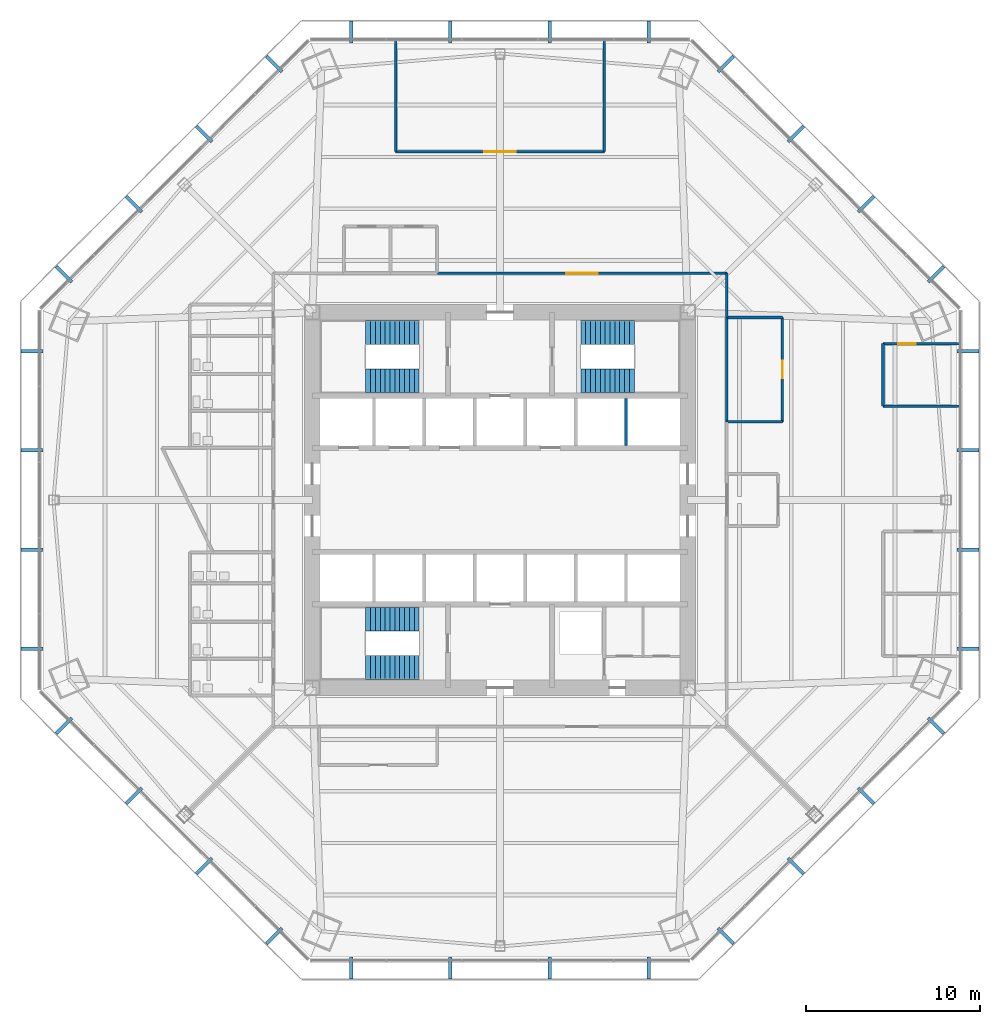
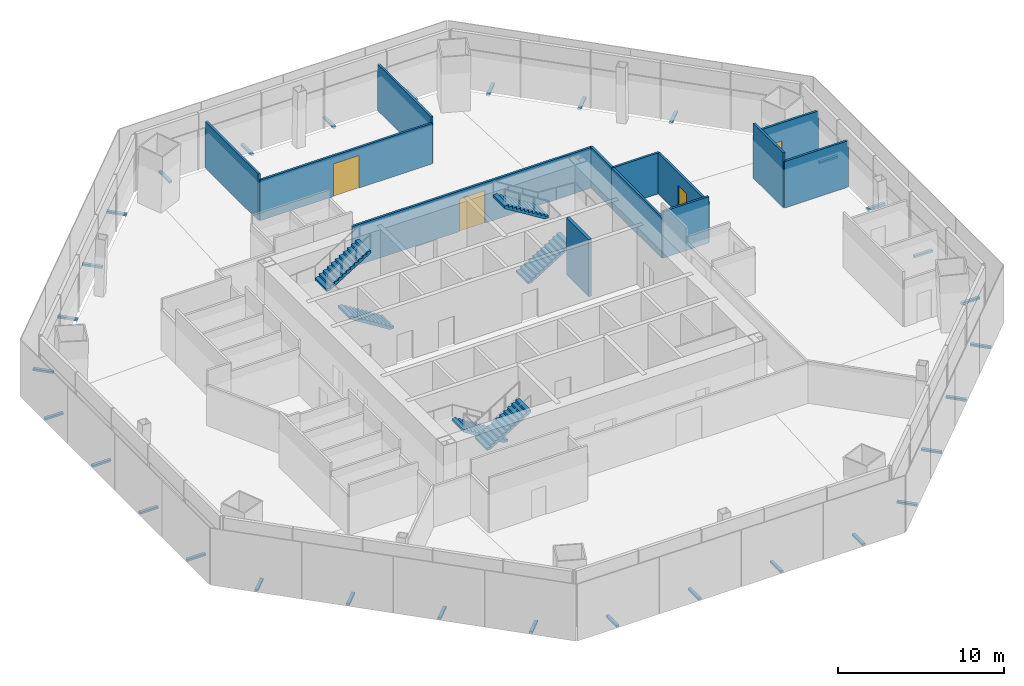
# One storey, part 11 of 14: 32 discrete accessories, 13 walls, 6 stair flights, 4 doors, 4 openings, 3 elements without a shape of their own.
"""IFC4 building model written with IfcOpenShell, lengths in metres."""

from ifc_helpers import new_model, si_unit, direction, frame, frame_2d, origin, origin_2d, place, context, subcontext, project, spatial, polyline, rectangle, outline, extrude, source, transform, mapped, material, layer, layer_set, type_object, type_shapes, element, fill, aggregate, save


model = new_model("IFC4")

# Units and contexts
model_context = context("Model", 3, precision=1e-05, world=origin(), true_north=direction((0.0, 1.0)))
body_context = subcontext(model_context, "Body", "Model", "MODEL_VIEW")
ifc_project = project(units=[si_unit("LENGTHUNIT", "METRE"), si_unit("AREAUNIT", "SQUARE_METRE"), si_unit("VOLUMEUNIT", "CUBIC_METRE"), si_unit("PLANEANGLEUNIT", "RADIAN"), si_unit("MASSUNIT", "GRAM", prefix="KILO")], contexts=[model_context])

# Site, building, storey
site_placement = place(None, origin())
site = spatial("IfcSite", under=ifc_project, at=site_placement, CompositionType="ELEMENT")
building_placement = place(site_placement, origin())
building = spatial("IfcBuilding", under=site, at=building_placement, Name="Mashrafa Tower", CompositionType="ELEMENT")
storey_placement = place(building_placement, frame((0.0, 0.0, 54.0)))
storey = spatial("IfcBuildingStorey", under=building, at=storey_placement, Name="L11", CompositionType="ELEMENT", Elevation=54.0)

# Walls
ifc_material_1 = material(Name="Gypsum board on steel studs", Category="steel")
ifc_layer_1 = layer(ifc_material_1, 0.14990234375)
ifc_layer_set_1 = layer_set([ifc_layer_1], Name="Corridor partition 150 1 hr")
wall_type_1 = type_object("IfcWallType", Name="Corridor partition 150 1 hr", PredefinedType="PARTITIONING", material=ifc_layer_set_1)
wall_1_placement = place(storey_placement, frame((13.050048828125, 4.4990234375, 0.0), z_axis=(0.0, 0.0, 1.0), x_axis=(0.0, 1.0, 0.0)))
element("IfcWall", 1, at=wall_1_placement, inside=storey, type_object=wall_type_1, Name="Corridor wall L11-011", PredefinedType="PARTITIONING", context=body_context, shape_type="SweptSolid", body=[
    extrude(rectangle(XDim=6.001953125, YDim=0.14990234375, at=frame_2d((3.0009765625, 0.0))), origin(), (0.0, 0.0, 1.0), 3.01416015625),
])
wall_2_placement = place(storey_placement, frame((13.050048828125, 10.4990234375, 0.0), z_axis=(0.0, 0.0, 1.0), x_axis=(0.0, 1.0, 0.0)))
element("IfcWall", 2, at=wall_2_placement, inside=storey, type_object=wall_type_1, Name="Corridor wall L11-018", PredefinedType="PARTITIONING", context=body_context, shape_type="SweptSolid", body=[
    extrude(rectangle(XDim=2.551025390625, YDim=0.14990234375, at=frame_2d((1.275390625, 0.0))), origin(), (0.0, 0.0, 1.0), 3.01416015625),
])

# Wall, opening, door
wall_3_placement = place(storey_placement, frame((13.050048828125, 13.050048828125, 0.0), z_axis=(0.0, 0.0, 1.0), x_axis=(-1.0, 0.0, 0.0)))
wall_3 = element("IfcWall", 3, at=wall_3_placement, inside=storey, type_object=wall_type_1, Name="Corridor wall L11-019", PredefinedType="PARTITIONING", context=body_context, shape_type="SweptSolid", body=[
    extrude(rectangle(XDim=16.651123046875, YDim=0.14990234375, at=frame_2d((8.32568359375, 0.0))), origin(), (0.0, 0.0, 1.0), 2.983642578125),
])
opening_1_placement = place(wall_3_placement, frame((7.425537109375, 0.0, 0.0)))
opening_1 = element("IfcOpeningElement", 4, at=opening_1_placement, cuts=wall_3, Name="Opening 11.020", PredefinedType="OPENING", context=body_context, shape_type="SweptSolid", body=[
    extrude(rectangle(XDim=1.800048828125, YDim=2.39990234375, at=frame_2d((0.89990234375, 1.199951171875))), frame((0.0, 0.0849609375, 0.0), z_axis=(0.0, -1.0, 0.0), x_axis=(1.0, 0.0, 0.0)), (0.0, 0.0, 1.0), 0.169921875),
])
ifc_material_2 = material(Name="Timber door", Category="wood")
door_type_1 = type_object("IfcDoorType", Name="Door pair 1800 x 2400", OperationType="DOUBLE_DOOR_SINGLE_SWING", PredefinedType="DOOR", material=ifc_material_2)
door_1_placement = place(opening_1_placement, origin())
door_1 = element("IfcDoor", 5, at=door_1_placement, inside=storey, type_object=door_type_1, Name="Trading Floor 11 door", OperationType="DOUBLE_DOOR_SINGLE_SWING", OverallHeight=2.39990234375, OverallWidth=1.800048828125, PredefinedType="DOOR", context=body_context, shape_type="SweptSolid", body=[
    extrude(rectangle(XDim=1.800048828125, YDim=2.39990234375, at=frame_2d((0.89990234375, 1.199951171875))), frame((0.0, 0.02490234375, 0.0), z_axis=(0.0, -1.0, 0.0), x_axis=(1.0, 0.0, 0.0)), (0.0, 0.0, 1.0), 0.050048828125),
])
fill(opening_1, door_1)

ifc_material_3 = material(Name="Gypsum board on steel studs", Category="steel")
ifc_layer_2 = layer(ifc_material_3, 0.14990234375)
ifc_layer_set_2 = layer_set([ifc_layer_2], Name="Partition 150")
wall_type_2 = type_object("IfcWallType", Name="Partition 150", PredefinedType="PARTITIONING", material=ifc_layer_set_2)
wall_4_placement = place(storey_placement, frame((26.47119140625, 9.0, 0.0), z_axis=(0.0, 0.0, 1.0), x_axis=(-1.0, 0.0, 0.0)))
wall_4 = element("IfcWall", 6, at=wall_4_placement, inside=storey, type_object=wall_type_2, Name="Partition wall L11-050", PredefinedType="PARTITIONING", context=body_context, shape_type="SweptSolid", body=[
    extrude(rectangle(XDim=4.43408203125, YDim=0.14990234375, at=frame_2d((2.217041015625, 0.0))), origin(), (0.0, 0.0, 1.0), 3.41796875),
])
opening_2_placement = place(wall_4_placement, frame((2.549072265625, 0.0, 0.0)))
opening_2 = element("IfcOpeningElement", 7, at=opening_2_placement, cuts=wall_4, Name="Opening 11.012", PredefinedType="OPENING", context=body_context, shape_type="SweptSolid", body=[
    extrude(rectangle(XDim=1.0, YDim=2.10009765625, at=frame_2d((0.5, 1.050048828125))), frame((0.0, 0.0849609375, 0.0), z_axis=(0.0, -1.0, 0.0), x_axis=(1.0, 0.0, 0.0)), (0.0, 0.0, 1.0), 0.169921875),
])
ifc_material_4 = material(Name="Timber door", Category="wood")
door_type_2 = type_object("IfcDoorType", Name="Door 1000 x 2100", OperationType="USERDEFINED", PredefinedType="DOOR", material=ifc_material_4)
door_2_placement = place(opening_2_placement, origin())
door_2 = element("IfcDoor", 8, at=door_2_placement, inside=storey, type_object=door_type_2, Name="Meeting Room 11-3 door", OperationType="SINGLE_SWING_RIGHT", OverallHeight=2.10009765625, OverallWidth=1.0, PredefinedType="DOOR", context=body_context, shape_type="SweptSolid", body=[
    extrude(rectangle(XDim=1.0, YDim=2.10009765625, at=frame_2d((0.5, 1.050048828125))), frame((0.0, 0.02490234375, 0.0), z_axis=(0.0, -1.0, 0.0), x_axis=(1.0, 0.0, 0.0)), (0.0, 0.0, 1.0), 0.050048828125),
])
fill(opening_2, door_2)

# Walls
wall_5_placement = place(storey_placement, frame((22.037109375, 9.0, 0.0), z_axis=(0.0, 0.0, 1.0), x_axis=(0.0, -1.0, 0.0)))
element("IfcWall", 9, at=wall_5_placement, inside=storey, type_object=wall_type_2, Name="Partition wall L11-051", PredefinedType="PARTITIONING", context=body_context, shape_type="SweptSolid", body=[
    extrude(rectangle(XDim=3.60009765625, YDim=0.14990234375, at=frame_2d((1.800048828125, 0.0))), origin(), (0.0, 0.0, 1.0), 4.034912109375),
])
wall_6_placement = place(storey_placement, frame((22.037109375, 5.39990234375, 0.0), z_axis=(0.0, 0.0, 1.0), x_axis=(1.0, 0.0, 0.0)))
element("IfcWall", 10, at=wall_6_placement, inside=storey, type_object=wall_type_2, Name="Partition wall L11-052", PredefinedType="PARTITIONING", context=body_context, shape_type="SweptSolid", body=[
    extrude(rectangle(XDim=4.431884765625, YDim=0.14990234375, at=frame_2d((2.2158203125, 0.0))), origin(), (0.0, 0.0, 1.0), 3.41796875),
])
wall_7_placement = place(storey_placement, frame((-6.0, 26.468994140625, 0.0), z_axis=(0.0, 0.0, 1.0), x_axis=(0.0, -1.0, 0.0)))
element("IfcWall", 11, at=wall_7_placement, inside=storey, type_object=wall_type_2, Name="Partition wall L11-053", PredefinedType="PARTITIONING", context=body_context, shape_type="SweptSolid", body=[
    extrude(rectangle(XDim=6.431884765625, YDim=0.14990234375, at=frame_2d((3.2158203125, 0.0))), origin(), (0.0, 0.0, 1.0), 3.41796875),
])

# Wall, opening, door
wall_8_placement = place(storey_placement, frame((-6.0, 20.037109375, 0.0), z_axis=(0.0, 0.0, 1.0), x_axis=(1.0, 0.0, 0.0)))
wall_8 = element("IfcWall", 12, at=wall_8_placement, inside=storey, type_object=wall_type_2, Name="Partition wall L11-054", PredefinedType="PARTITIONING", context=body_context, shape_type="SweptSolid", body=[
    extrude(rectangle(XDim=12.0, YDim=0.14990234375, at=frame_2d((6.0, 0.0))), origin(), (0.0, 0.0, 1.0), 2.983642578125),
])
opening_3_placement = place(wall_8_placement, frame((5.10009765625, 0.0, 0.0)))
opening_3 = element("IfcOpeningElement", 13, at=opening_3_placement, cuts=wall_8, Name="Opening 11.013", PredefinedType="OPENING", context=body_context, shape_type="SweptSolid", body=[
    extrude(rectangle(XDim=1.800048828125, YDim=2.39990234375, at=frame_2d((0.89990234375, 1.199951171875))), frame((0.0, 0.0849609375, 0.0), z_axis=(0.0, -1.0, 0.0), x_axis=(1.0, 0.0, 0.0)), (0.0, 0.0, 1.0), 0.169921875),
])
door_3_placement = place(opening_3_placement, origin())
door_3 = element("IfcDoor", 14, at=door_3_placement, inside=storey, type_object=door_type_1, Name="Training Room 11 door", OperationType="DOUBLE_DOOR_SINGLE_SWING", OverallHeight=2.39990234375, OverallWidth=1.800048828125, PredefinedType="DOOR", context=body_context, shape_type="SweptSolid", body=[
    extrude(rectangle(XDim=1.800048828125, YDim=2.39990234375, at=frame_2d((0.89990234375, 1.199951171875))), frame((0.0, 0.02490234375, 0.0), z_axis=(0.0, -1.0, 0.0), x_axis=(1.0, 0.0, 0.0)), (0.0, 0.0, 1.0), 0.050048828125),
])
fill(opening_3, door_3)

# Walls
wall_9_placement = place(storey_placement, frame((6.0, 20.037109375, 0.0), z_axis=(0.0, 0.0, 1.0), x_axis=(0.0, 1.0, 0.0)))
element("IfcWall", 15, at=wall_9_placement, inside=storey, type_object=wall_type_2, Name="Partition wall L11-055", PredefinedType="PARTITIONING", context=body_context, shape_type="SweptSolid", body=[
    extrude(rectangle(XDim=6.431884765625, YDim=0.14990234375, at=frame_2d((3.2158203125, 0.0))), origin(), (0.0, 0.0, 1.0), 3.41796875),
])
wall_10_placement = place(storey_placement, frame((13.050048828125, 4.5, 0.0), z_axis=(0.0, 0.0, 1.0), x_axis=(1.0, 0.0, 0.0)))
element("IfcWall", 16, at=wall_10_placement, inside=storey, type_object=wall_type_2, Name="Partition wall L11-059", PredefinedType="PARTITIONING", context=body_context, shape_type="SweptSolid", body=[
    extrude(rectangle(XDim=3.199951171875, YDim=0.14990234375, at=frame_2d((1.60009765625, 0.0))), origin(), (0.0, 0.0, 1.0), 3.423095703125),
])

# Wall, opening, door
wall_11_placement = place(storey_placement, frame((16.25, 4.5, 0.0), z_axis=(0.0, 0.0, 1.0), x_axis=(0.0, 1.0, 0.0)))
wall_11 = element("IfcWall", 17, at=wall_11_placement, inside=storey, type_object=wall_type_2, Name="Partition wall L11-060", PredefinedType="PARTITIONING", context=body_context, shape_type="SweptSolid", body=[
    extrude(rectangle(XDim=6.0, YDim=0.14990234375, at=frame_2d((3.0, 0.0))), origin(), (0.0, 0.0, 1.0), 3.01416015625),
])
opening_4_placement = place(wall_11_placement, frame((2.5, 0.0, 0.0)))
opening_4 = element("IfcOpeningElement", 18, at=opening_4_placement, cuts=wall_11, Name="Opening 11.015", PredefinedType="OPENING", context=body_context, shape_type="SweptSolid", body=[
    extrude(rectangle(XDim=1.0, YDim=2.10009765625, at=frame_2d((0.5, 1.050048828125))), frame((0.0, 0.0849609375, 0.0), z_axis=(0.0, -1.0, 0.0), x_axis=(1.0, 0.0, 0.0)), (0.0, 0.0, 1.0), 0.169921875),
])
door_4_placement = place(opening_4_placement, origin())
door_4 = element("IfcDoor", 19, at=door_4_placement, inside=storey, type_object=door_type_2, Name="Staff Pantry 11 door", OperationType="SINGLE_SWING_LEFT", OverallHeight=2.10009765625, OverallWidth=1.0, PredefinedType="DOOR", context=body_context, shape_type="SweptSolid", body=[
    extrude(rectangle(XDim=1.0, YDim=2.10009765625, at=frame_2d((0.5, 1.050048828125))), frame((0.0, 0.02490234375, 0.0), z_axis=(0.0, -1.0, 0.0), x_axis=(1.0, 0.0, 0.0)), (0.0, 0.0, 1.0), 0.050048828125),
])
fill(opening_4, door_4)

# Walls
wall_12_placement = place(storey_placement, frame((16.25, 10.5, 0.0), z_axis=(0.0, 0.0, 1.0), x_axis=(-1.0, 0.0, 0.0)))
element("IfcWall", 20, at=wall_12_placement, inside=storey, type_object=wall_type_2, Name="Partition wall L11-061", PredefinedType="PARTITIONING", context=body_context, shape_type="SweptSolid", body=[
    extrude(rectangle(XDim=3.199951171875, YDim=0.14990234375, at=frame_2d((1.60009765625, 0.0))), origin(), (0.0, 0.0, 1.0), 3.01416015625),
])
ifc_material_5 = material(Name="Gypsum shaft wall on steel studs", Category="steel")
ifc_layer_3 = layer(ifc_material_5, 0.199951171875)
ifc_layer_set_3 = layer_set([ifc_layer_3], Name="Shaft divider wall 200 2 hr")
wall_type_3 = type_object("IfcWallType", Name="Shaft divider wall 200 2 hr", PredefinedType="PARTITIONING", material=ifc_layer_set_3)
wall_13_placement = place(storey_placement, frame((7.25, 3.14990234375, 0.0), z_axis=(0.0, 0.0, 1.0), x_axis=(0.0, 1.0, 0.0)))
element("IfcWall", 21, at=wall_13_placement, inside=storey, type_object=wall_type_3, Name="Shaft divider wall N6 L11", PredefinedType="PARTITIONING", context=body_context, shape_type="SweptSolid", body=[
    extrude(rectangle(XDim=2.7001953125, YDim=0.199951171875, at=frame_2d((1.35009765625, 0.0))), origin(), (0.0, 0.0, 1.0), 4.199951171875),
])

# Stair, stair flights
ifc_material_6 = material(Name="Exit stair 1400")
stair_type = type_object("IfcStairType", Name="Exit stair 1400", PredefinedType="HALF_TURN_STAIR", material=ifc_material_6)
stair_1_placement = place(storey_placement, origin())
stair_1 = element("IfcStair", 22, at=stair_1_placement, inside=storey, type_object=stair_type, Name="Stair S1 L11", PredefinedType="HALF_TURN_STAIR")
ifc_material_7 = material(Name="Concrete C32/40", Category="concrete")
stair_flight_type = type_object("IfcStairFlightType", Name="Stair flight 1400", PredefinedType="STRAIGHT", material=ifc_material_7)
stair_flight_1_placement = place(storey_placement, frame((-4.64990234375, 6.85009765625, 0.0), z_axis=(0.0, 0.0, 1.0), x_axis=(-1.0, 0.0, 0.0)))
stair_flight_1 = element("IfcStairFlight", 23, at=stair_flight_1_placement, type_object=stair_flight_type, Name="S1 flight 1", NumberOfRisers=12, NumberOfTreads=11, PredefinedType="STRAIGHT", RiserHeight=0.175, TreadLength=0.28, context=body_context, shape_type="SweptSolid", body=[
    extrude(outline(polyline([(0.0, 0.0), (0.0, 0.175048828125), (0.280029296875, 0.175048828125), (0.280029296875, 0.35009765625), (0.56005859375, 0.35009765625), (0.56005859375, 0.52490234375), (0.840087890625, 0.52490234375), (0.840087890625, 0.699951171875), (1.1201171875, 0.699951171875), (1.1201171875, 0.875), (1.39990234375, 0.875), (1.39990234375, 1.050048828125), (1.679931640625, 1.050048828125), (1.679931640625, 1.22509765625), (1.9599609375, 1.22509765625), (1.9599609375, 1.39990234375), (2.239990234375, 1.39990234375), (2.239990234375, 1.574951171875), (2.52001953125, 1.574951171875), (2.52001953125, 1.75), (2.800048828125, 1.75), (2.800048828125, 1.925048828125), (3.080078125, 1.925048828125), (3.080078125, 2.10009765625), (3.080078125, 1.748291015625), (0.28271484375, 0.0), (0.0, 0.0)])), frame((0.0, 0.699951171875, 0.0), z_axis=(0.0, -1.0, 0.0), x_axis=(1.0, 0.0, 0.0)), (0.0, 0.0, 1.0), 1.39990234375),
])
stair_flight_2_placement = place(storey_placement, frame((-7.72998046875, 9.64990234375, 2.10009765625), z_axis=(0.0, 0.0, 1.0), x_axis=(1.0, 0.0, 0.0)))
stair_flight_2 = element("IfcStairFlight", 24, at=stair_flight_2_placement, type_object=stair_flight_type, Name="S1 flight 2", NumberOfRisers=12, NumberOfTreads=11, PredefinedType="STRAIGHT", RiserHeight=0.175, TreadLength=0.28, context=body_context, shape_type="SweptSolid", body=[
    extrude(outline(polyline([(0.0, 0.0), (0.0, 0.175048828125), (0.280029296875, 0.175048828125), (0.280029296875, 0.35009765625), (0.56005859375, 0.35009765625), (0.56005859375, 0.52490234375), (0.840087890625, 0.52490234375), (0.840087890625, 0.699951171875), (1.1201171875, 0.699951171875), (1.1201171875, 0.875), (1.39990234375, 0.875), (1.39990234375, 1.050048828125), (1.679931640625, 1.050048828125), (1.679931640625, 1.22509765625), (1.9599609375, 1.22509765625), (1.9599609375, 1.39990234375), (2.239990234375, 1.39990234375), (2.239990234375, 1.574951171875), (2.52001953125, 1.574951171875), (2.52001953125, 1.75), (2.800048828125, 1.75), (2.800048828125, 1.925048828125), (3.080078125, 1.925048828125), (3.080078125, 2.10009765625), (3.080078125, 1.748291015625), (0.28271484375, 0.0), (0.0, 0.0)])), frame((0.0, 0.699951171875, 0.0), z_axis=(0.0, -1.0, 0.0), x_axis=(1.0, 0.0, 0.0)), (0.0, 0.0, 1.0), 1.39990234375),
])
aggregate(stair_1, [stair_flight_1, stair_flight_2])

stair_2_placement = place(storey_placement, origin())
stair_2 = element("IfcStair", 25, at=stair_2_placement, inside=storey, type_object=stair_type, Name="Stair S2 L11", PredefinedType="HALF_TURN_STAIR")
stair_flight_3_placement = place(storey_placement, frame((4.64990234375, 6.85009765625, 0.0), z_axis=(0.0, 0.0, 1.0), x_axis=(1.0, 0.0, 0.0)))
stair_flight_3 = element("IfcStairFlight", 26, at=stair_flight_3_placement, type_object=stair_flight_type, Name="S2 flight 1", NumberOfRisers=12, NumberOfTreads=11, PredefinedType="STRAIGHT", RiserHeight=0.175, TreadLength=0.28, context=body_context, shape_type="SweptSolid", body=[
    extrude(outline(polyline([(0.0, 0.0), (0.0, 0.175048828125), (0.280029296875, 0.175048828125), (0.280029296875, 0.35009765625), (0.56005859375, 0.35009765625), (0.56005859375, 0.52490234375), (0.840087890625, 0.52490234375), (0.840087890625, 0.699951171875), (1.1201171875, 0.699951171875), (1.1201171875, 0.875), (1.39990234375, 0.875), (1.39990234375, 1.050048828125), (1.679931640625, 1.050048828125), (1.679931640625, 1.22509765625), (1.9599609375, 1.22509765625), (1.9599609375, 1.39990234375), (2.239990234375, 1.39990234375), (2.239990234375, 1.574951171875), (2.52001953125, 1.574951171875), (2.52001953125, 1.75), (2.800048828125, 1.75), (2.800048828125, 1.925048828125), (3.080078125, 1.925048828125), (3.080078125, 2.10009765625), (3.080078125, 1.748291015625), (0.28271484375, 0.0), (0.0, 0.0)])), frame((0.0, 0.699951171875, 0.0), z_axis=(0.0, -1.0, 0.0), x_axis=(1.0, 0.0, 0.0)), (0.0, 0.0, 1.0), 1.39990234375),
])
stair_flight_4_placement = place(storey_placement, frame((7.72998046875, 9.64990234375, 2.10009765625), z_axis=(0.0, 0.0, 1.0), x_axis=(-1.0, 0.0, 0.0)))
stair_flight_4 = element("IfcStairFlight", 27, at=stair_flight_4_placement, type_object=stair_flight_type, Name="S2 flight 2", NumberOfRisers=12, NumberOfTreads=11, PredefinedType="STRAIGHT", RiserHeight=0.175, TreadLength=0.28, context=body_context, shape_type="SweptSolid", body=[
    extrude(outline(polyline([(0.0, 0.0), (0.0, 0.175048828125), (0.280029296875, 0.175048828125), (0.280029296875, 0.35009765625), (0.56005859375, 0.35009765625), (0.56005859375, 0.52490234375), (0.840087890625, 0.52490234375), (0.840087890625, 0.699951171875), (1.1201171875, 0.699951171875), (1.1201171875, 0.875), (1.39990234375, 0.875), (1.39990234375, 1.050048828125), (1.679931640625, 1.050048828125), (1.679931640625, 1.22509765625), (1.9599609375, 1.22509765625), (1.9599609375, 1.39990234375), (2.239990234375, 1.39990234375), (2.239990234375, 1.574951171875), (2.52001953125, 1.574951171875), (2.52001953125, 1.75), (2.800048828125, 1.75), (2.800048828125, 1.925048828125), (3.080078125, 1.925048828125), (3.080078125, 2.10009765625), (3.080078125, 1.748291015625), (0.28271484375, 0.0), (0.0, 0.0)])), frame((0.0, 0.699951171875, 0.0), z_axis=(0.0, -1.0, 0.0), x_axis=(1.0, 0.0, 0.0)), (0.0, 0.0, 1.0), 1.39990234375),
])
aggregate(stair_2, [stair_flight_3, stair_flight_4])

stair_3_placement = place(storey_placement, origin())
stair_3 = element("IfcStair", 28, at=stair_3_placement, inside=storey, type_object=stair_type, Name="Stair S3 L11", PredefinedType="HALF_TURN_STAIR")
stair_flight_5_placement = place(storey_placement, frame((-4.64990234375, -6.85009765625, 0.0), z_axis=(0.0, 0.0, 1.0), x_axis=(-1.0, 0.0, 0.0)))
stair_flight_5 = element("IfcStairFlight", 29, at=stair_flight_5_placement, type_object=stair_flight_type, Name="S3 flight 1", NumberOfRisers=12, NumberOfTreads=11, PredefinedType="STRAIGHT", RiserHeight=0.175, TreadLength=0.28, context=body_context, shape_type="SweptSolid", body=[
    extrude(outline(polyline([(0.0, 0.0), (0.0, 0.175048828125), (0.280029296875, 0.175048828125), (0.280029296875, 0.35009765625), (0.56005859375, 0.35009765625), (0.56005859375, 0.52490234375), (0.840087890625, 0.52490234375), (0.840087890625, 0.699951171875), (1.1201171875, 0.699951171875), (1.1201171875, 0.875), (1.39990234375, 0.875), (1.39990234375, 1.050048828125), (1.679931640625, 1.050048828125), (1.679931640625, 1.22509765625), (1.9599609375, 1.22509765625), (1.9599609375, 1.39990234375), (2.239990234375, 1.39990234375), (2.239990234375, 1.574951171875), (2.52001953125, 1.574951171875), (2.52001953125, 1.75), (2.800048828125, 1.75), (2.800048828125, 1.925048828125), (3.080078125, 1.925048828125), (3.080078125, 2.10009765625), (3.080078125, 1.748291015625), (0.28271484375, 0.0), (0.0, 0.0)])), frame((0.0, 0.699951171875, 0.0), z_axis=(0.0, -1.0, 0.0), x_axis=(1.0, 0.0, 0.0)), (0.0, 0.0, 1.0), 1.39990234375),
])
stair_flight_6_placement = place(storey_placement, frame((-7.72998046875, -9.64990234375, 2.10009765625), z_axis=(0.0, 0.0, 1.0), x_axis=(1.0, 0.0, 0.0)))
stair_flight_6 = element("IfcStairFlight", 30, at=stair_flight_6_placement, type_object=stair_flight_type, Name="S3 flight 2", NumberOfRisers=12, NumberOfTreads=11, PredefinedType="STRAIGHT", RiserHeight=0.175, TreadLength=0.28, context=body_context, shape_type="SweptSolid", body=[
    extrude(outline(polyline([(0.0, 0.0), (0.0, 0.175048828125), (0.280029296875, 0.175048828125), (0.280029296875, 0.35009765625), (0.56005859375, 0.35009765625), (0.56005859375, 0.52490234375), (0.840087890625, 0.52490234375), (0.840087890625, 0.699951171875), (1.1201171875, 0.699951171875), (1.1201171875, 0.875), (1.39990234375, 0.875), (1.39990234375, 1.050048828125), (1.679931640625, 1.050048828125), (1.679931640625, 1.22509765625), (1.9599609375, 1.22509765625), (1.9599609375, 1.39990234375), (2.239990234375, 1.39990234375), (2.239990234375, 1.574951171875), (2.52001953125, 1.574951171875), (2.52001953125, 1.75), (2.800048828125, 1.75), (2.800048828125, 1.925048828125), (3.080078125, 1.925048828125), (3.080078125, 2.10009765625), (3.080078125, 1.748291015625), (0.28271484375, 0.0), (0.0, 0.0)])), frame((0.0, 0.699951171875, 0.0), z_axis=(0.0, -1.0, 0.0), x_axis=(1.0, 0.0, 0.0)), (0.0, 0.0, 1.0), 1.39990234375),
])
aggregate(stair_3, [stair_flight_5, stair_flight_6])

# Discrete accessories
ifc_material_8 = material(Name="Stainless steel screen bracket", Category="steel")
discrete_accessory_type = type_object("IfcDiscreteAccessoryType", Name="Screen support bracket 200 x 150", PredefinedType="BRACKET", material=ifc_material_8)
shared_shape = source(origin(), body_context, "Body", "SweptSolid", [
    extrude(rectangle(XDim=0.199951171875, YDim=1.27001953125, at=origin_2d()), origin(), (0.0, 0.0, 1.0), 0.14990234375),
])
type_shapes(discrete_accessory_type, [shared_shape])
for number, where, z_axis, x_axis, name in (
    (31, (26.922119140625, -8.553466796875, -0.14990234375), (0.0, 0.0, 1.0), (0.0, 1.0, 0.0), "Screen support bracket L11 east 1"),
    (32, (26.922119140625, -2.85107421875, -0.14990234375), (0.0, 0.0, 1.0), (0.0, 1.0, 0.0), "Screen support bracket L11 east 2"),
    (33, (26.922119140625, 2.85107421875, -0.14990234375), (0.0, 0.0, 1.0), (0.0, 1.0, 0.0), "Screen support bracket L11 east 3"),
    (34, (26.922119140625, 8.553466796875, -0.14990234375), (0.0, 0.0, 1.0), (0.0, 1.0, 0.0), "Screen support bracket L11 east 4"),
    (35, (25.0849609375, 12.98876953125, -0.14990234375), (0.0, 0.0, 1.0), (-0.707106781187, 0.707106781187, 0.0), "Screen support bracket L11 north-east 1"),
    (36, (21.052978515625, 17.020751953125, -0.14990234375), (0.0, 0.0, 1.0), (-0.707106781187, 0.707106781187, 0.0), "Screen support bracket L11 north-east 2"),
    (37, (17.020751953125, 21.052978515625, -0.14990234375), (0.0, 0.0, 1.0), (-0.707106781187, 0.707106781187, 0.0), "Screen support bracket L11 north-east 3"),
    (38, (12.98876953125, 25.0849609375, -0.14990234375), (0.0, 0.0, 1.0), (-0.707106781187, 0.707106781187, 0.0), "Screen support bracket L11 north-east 4"),
    (39, (8.553466796875, 26.922119140625, -0.14990234375), (0.0, 0.0, 1.0), (-1.0, 0.0, 0.0), "Screen support bracket L11 north 1"),
    (40, (2.85107421875, 26.922119140625, -0.14990234375), (0.0, 0.0, 1.0), (-1.0, 0.0, 0.0), "Screen support bracket L11 north 2"),
    (41, (-2.85107421875, 26.922119140625, -0.14990234375), (0.0, 0.0, 1.0), (-1.0, 0.0, 0.0), "Screen support bracket L11 north 3"),
    (42, (-8.553466796875, 26.922119140625, -0.14990234375), (0.0, 0.0, 1.0), (-1.0, 0.0, 0.0), "Screen support bracket L11 north 4"),
    (43, (-12.98876953125, 25.0849609375, -0.14990234375), (0.0, 0.0, 1.0), (-0.707106781187, -0.707106781187, 0.0), "Screen support bracket L11 north-west 1"),
    (44, (-17.020751953125, 21.052978515625, -0.14990234375), (0.0, 0.0, 1.0), (-0.707106781187, -0.707106781187, 0.0), "Screen support bracket L11 north-west 2"),
    (45, (-21.052978515625, 17.020751953125, -0.14990234375), (0.0, 0.0, 1.0), (-0.707106781187, -0.707106781187, 0.0), "Screen support bracket L11 north-west 3"),
    (46, (-25.0849609375, 12.98876953125, -0.14990234375), (0.0, 0.0, 1.0), (-0.707106781187, -0.707106781187, 0.0), "Screen support bracket L11 north-west 4"),
    (47, (-26.922119140625, 8.553466796875, -0.14990234375), (0.0, 0.0, 1.0), (0.0, -1.0, 0.0), "Screen support bracket L11 west 1"),
    (48, (-26.922119140625, 2.85107421875, -0.14990234375), (0.0, 0.0, 1.0), (0.0, -1.0, 0.0), "Screen support bracket L11 west 2"),
    (49, (-26.922119140625, -2.85107421875, -0.14990234375), (0.0, 0.0, 1.0), (0.0, -1.0, 0.0), "Screen support bracket L11 west 3"),
    (50, (-26.922119140625, -8.553466796875, -0.14990234375), (0.0, 0.0, 1.0), (0.0, -1.0, 0.0), "Screen support bracket L11 west 4"),
    (51, (-25.0849609375, -12.98876953125, -0.14990234375), (0.0, 0.0, 1.0), (0.707106781187, -0.707106781187, 0.0), "Screen support bracket L11 south-west 1"),
    (52, (-21.052978515625, -17.020751953125, -0.14990234375), (0.0, 0.0, 1.0), (0.707106781187, -0.707106781187, 0.0), "Screen support bracket L11 south-west 2"),
    (53, (-17.020751953125, -21.052978515625, -0.14990234375), (0.0, 0.0, 1.0), (0.707106781187, -0.707106781187, 0.0), "Screen support bracket L11 south-west 3"),
    (54, (-12.98876953125, -25.0849609375, -0.14990234375), (0.0, 0.0, 1.0), (0.707106781187, -0.707106781187, 0.0), "Screen support bracket L11 south-west 4"),
    (55, (-8.553466796875, -26.922119140625, -0.14990234375), (0.0, 0.0, 1.0), (1.0, 0.0, 0.0), "Screen support bracket L11 south 1"),
    (56, (-2.85107421875, -26.922119140625, -0.14990234375), (0.0, 0.0, 1.0), (1.0, 0.0, 0.0), "Screen support bracket L11 south 2"),
    (57, (2.85107421875, -26.922119140625, -0.14990234375), (0.0, 0.0, 1.0), (1.0, 0.0, 0.0), "Screen support bracket L11 south 3"),
    (58, (8.553466796875, -26.922119140625, -0.14990234375), (0.0, 0.0, 1.0), (1.0, 0.0, 0.0), "Screen support bracket L11 south 4"),
    (59, (12.98876953125, -25.0849609375, -0.14990234375), (0.0, 0.0, 1.0), (0.707106781187, 0.707106781187, 0.0), "Screen support bracket L11 south-east 1"),
    (60, (17.020751953125, -21.052978515625, -0.14990234375), (0.0, 0.0, 1.0), (0.707106781187, 0.707106781187, 0.0), "Screen support bracket L11 south-east 2"),
    (61, (21.052978515625, -17.020751953125, -0.14990234375), (0.0, 0.0, 1.0), (0.707106781187, 0.707106781187, 0.0), "Screen support bracket L11 south-east 3"),
    (62, (25.0849609375, -12.98876953125, -0.14990234375), (0.0, 0.0, 1.0), (0.707106781187, 0.707106781187, 0.0), "Screen support bracket L11 south-east 4"),
):
    element("IfcDiscreteAccessory", number, at=place(storey_placement, frame(where, z_axis=z_axis, x_axis=x_axis)), inside=storey, type_object=discrete_accessory_type, Name=name, PredefinedType="BRACKET", context=body_context, shape_type="MappedRepresentation", body=[
        mapped(shared_shape, transform((0.0, 0.0, 0.0))),
    ])

save(model, "model.ifc")
